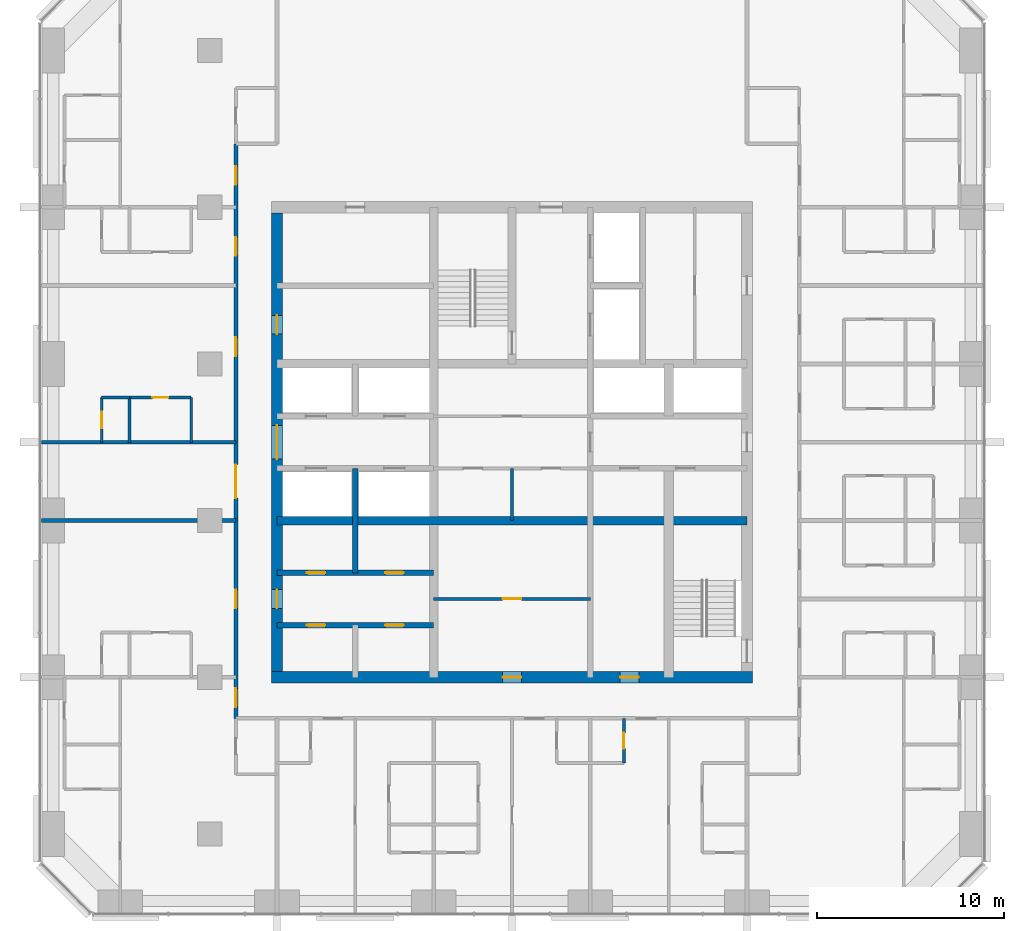
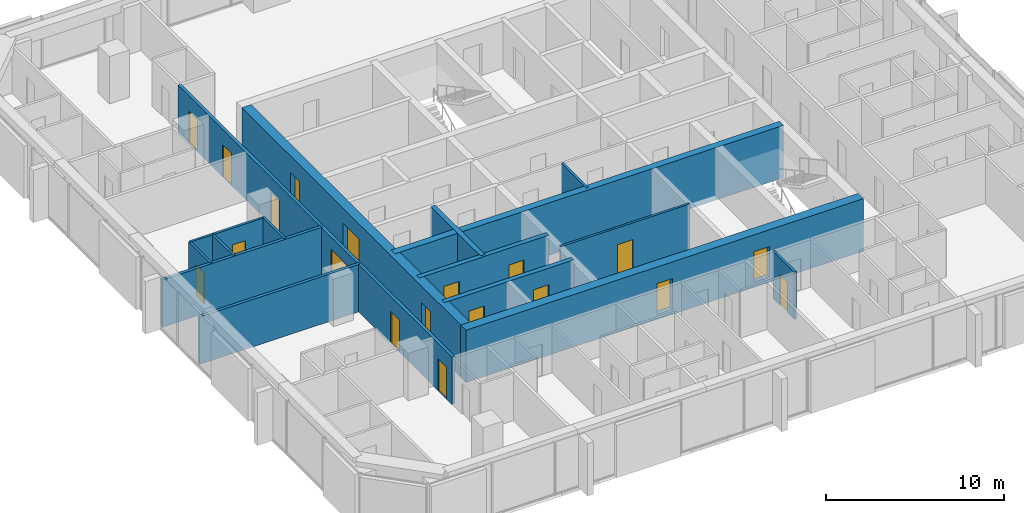
# One storey, part 9 of 14: 19 doors, 17 walls, 19 openings.
"""IFC4 building model written with IfcOpenShell, lengths in metres."""

from ifc_helpers import new_model, si_unit, direction, frame, frame_2d, origin, place, context, subcontext, project, spatial, rectangle, extrude, material, layer, layer_set, type_object, element, fill, save


model = new_model("IFC4")

# Units and contexts
model_context = context("Model", 3, precision=1e-05, world=origin(), true_north=direction((0.0, 1.0)))
body_context = subcontext(model_context, "Body", "Model", "MODEL_VIEW")
ifc_project = project(units=[si_unit("LENGTHUNIT", "METRE"), si_unit("AREAUNIT", "SQUARE_METRE"), si_unit("VOLUMEUNIT", "CUBIC_METRE"), si_unit("PLANEANGLEUNIT", "RADIAN"), si_unit("MASSUNIT", "GRAM", prefix="KILO")], contexts=[model_context])

# Site, building, storey
site_placement = place(None, origin())
site = spatial("IfcSite", under=ifc_project, at=site_placement, CompositionType="ELEMENT")
building_placement = place(site_placement, origin())
building = spatial("IfcBuilding", under=site, at=building_placement, Name="Dunama Terrace Hotel", CompositionType="ELEMENT")
storey_placement = place(building_placement, frame((0.0, 0.0, 180.60009765625)))
storey = spatial("IfcBuildingStorey", under=building, at=storey_placement, Name="L46", CompositionType="ELEMENT", Elevation=180.60009765625)

# Wall
ifc_material_1 = material(Name="Gypsum board partition", Category="masonry")
ifc_layer_1 = layer(ifc_material_1, 0.14990234375)
ifc_layer_set_1 = layer_set([ifc_layer_1], Name="Bathroom partition 150")
wall_type_1 = type_object("IfcWallType", Name="Bathroom partition 150", PredefinedType="PARTITIONING", material=ifc_layer_set_1)
wall_1_placement = place(storey_placement, frame((12.199951171875, 29.39990234375, 0.0), z_axis=(0.0, 0.0, 1.0), x_axis=(0.0, 1.0, 0.0)))
element("IfcWall", 1, at=wall_1_placement, inside=storey, type_object=wall_type_1, Name="Bathroom partition 150 L46", PredefinedType="PARTITIONING", context=body_context, shape_type="SweptSolid", body=[
    extrude(rectangle(XDim=2.400146484375, YDim=0.14990234375, at=frame_2d((1.2001953125, 0.0))), origin(), (0.0, 0.0, 1.0), 3.25),
])

# Wall, opening, door
wall_2_placement = place(storey_placement, frame((35.39990234375, 12.199951171875, 0.0), z_axis=(0.0, 0.0, 1.0), x_axis=(0.0, 1.0, 0.0)))
wall_2 = element("IfcWall", 2, at=wall_2_placement, inside=storey, type_object=wall_type_1, Name="Bathroom partition 150 L46", PredefinedType="PARTITIONING", context=body_context, shape_type="SweptSolid", body=[
    extrude(rectangle(XDim=2.400146484375, YDim=0.14990234375, at=frame_2d((1.2001953125, 0.0))), origin(), (0.0, 0.0, 1.0), 3.25),
])
opening_1_placement = place(wall_2_placement, frame((0.77490234375, 0.0, 0.0)))
opening_1 = element("IfcOpeningElement", 3, at=opening_1_placement, cuts=wall_2, Name="Opening L46-47-020", PredefinedType="OPENING", context=body_context, shape_type="SweptSolid", body=[
    extrude(rectangle(XDim=0.85009765625, YDim=2.10009765625, at=frame_2d((0.425048828125, 1.050048828125))), frame((0.0, 0.0849609375, 0.0), z_axis=(0.0, -1.0, 0.0), x_axis=(1.0, 0.0, 0.0)), (0.0, 0.0, 1.0), 0.169921875),
])
ifc_material_2 = material(Name="Timber door with steel frame", Category="steel")
door_type_1 = type_object("IfcDoorType", Name="Bathroom door 850", OperationType="SINGLE_SWING_LEFT", PredefinedType="DOOR", material=ifc_material_2)
door_1_placement = place(opening_1_placement, origin())
door_1 = element("IfcDoor", 4, at=door_1_placement, inside=storey, type_object=door_type_1, Name="Door to powder room L46-47-020, type D2", OperationType="SINGLE_SWING_RIGHT", OverallHeight=2.10009765625, OverallWidth=0.85009765625, PredefinedType="DOOR", context=body_context, shape_type="SweptSolid", body=[
    extrude(rectangle(XDim=0.85009765625, YDim=2.10009765625, at=frame_2d((0.425048828125, 1.050048828125))), frame((0.0, 0.02490234375, 0.0), z_axis=(0.0, -1.0, 0.0), x_axis=(1.0, 0.0, 0.0)), (0.0, 0.0, 1.0), 0.050048828125),
])
fill(opening_1, door_1)

wall_3_placement = place(storey_placement, frame((8.89990234375, 31.800048828125, 0.0), z_axis=(0.0, 0.0, 1.0), x_axis=(1.0, 0.0, 0.0)))
wall_3 = element("IfcWall", 5, at=wall_3_placement, inside=storey, type_object=wall_type_1, Name="Bathroom partition 150 L46", PredefinedType="PARTITIONING", context=body_context, shape_type="SweptSolid", body=[
    extrude(rectangle(XDim=3.300048828125, YDim=0.14990234375, at=frame_2d((1.64990234375, 0.0))), origin(), (0.0, 0.0, 1.0), 3.25),
])
opening_2_placement = place(wall_3_placement, frame((1.22509765625, 0.0, 0.0)))
opening_2 = element("IfcOpeningElement", 6, at=opening_2_placement, cuts=wall_3, Name="Opening L46-47-047", PredefinedType="OPENING", context=body_context, shape_type="SweptSolid", body=[
    extrude(rectangle(XDim=0.85009765625, YDim=2.10009765625, at=frame_2d((0.425048828125, 1.050048828125))), frame((0.0, 0.0849609375, 0.0), z_axis=(0.0, -1.0, 0.0), x_axis=(1.0, 0.0, 0.0)), (0.0, 0.0, 1.0), 0.169921875),
])
door_2_placement = place(opening_2_placement, frame((0.85009765625, 0.0, 0.0), z_axis=(0.0, 0.0, 1.0), x_axis=(-1.0, 0.0, 0.0)))
door_2 = element("IfcDoor", 7, at=door_2_placement, inside=storey, type_object=door_type_1, Name="Door to en-suite bathroom L46-47-047, type D2", OperationType="SINGLE_SWING_RIGHT", OverallHeight=2.10009765625, OverallWidth=0.85009765625, PredefinedType="DOOR", context=body_context, shape_type="SweptSolid", body=[
    extrude(rectangle(XDim=0.85009765625, YDim=2.10009765625, at=frame_2d((0.425048828125, 1.050048828125))), frame((0.0, 0.025146484375, 0.0), z_axis=(0.0, -1.0, 0.0), x_axis=(1.0, 0.0, 0.0)), (0.0, 0.0, 1.0), 0.050048828125),
])
fill(opening_2, door_2)

# Wall
ifc_material_3 = material(Name="Concrete C50/60", Category="concrete")
ifc_layer_2 = layer(ifc_material_3, 0.300048828125)
ifc_layer_set_2 = layer_set([ifc_layer_2], Name="Core inner wall 300")
wall_type_2 = type_object("IfcWallType", Name="Core inner wall 300", PredefinedType="SHEAR", material=ifc_layer_set_2)
wall_4_placement = place(storey_placement, frame((21.0, 22.39990234375, -0.35009765625), z_axis=(0.0, 0.0, 1.0), x_axis=(0.0, 1.0, 0.0)))
element("IfcWall", 8, at=wall_4_placement, inside=storey, type_object=wall_type_2, Name="Core inner wall 300 L46", PredefinedType="SHEAR", context=body_context, shape_type="SweptSolid", body=[
    extrude(rectangle(XDim=5.60009765625, YDim=0.300048828125, at=frame_2d((2.800048828125, 0.0))), origin(), (0.0, 0.0, 1.0), 3.60009765625),
])

# Wall, openings, doors
wall_5_placement = place(storey_placement, frame((16.800048828125, 19.60009765625, -0.35009765625), z_axis=(0.0, 0.0, 1.0), x_axis=(1.0, 0.0, 0.0)))
wall_5 = element("IfcWall", 9, at=wall_5_placement, inside=storey, type_object=wall_type_2, Name="Core inner wall 300 L46", PredefinedType="SHEAR", context=body_context, shape_type="SweptSolid", body=[
    extrude(rectangle(XDim=8.39990234375, YDim=0.300048828125, at=frame_2d((4.199951171875, 0.0))), origin(), (0.0, 0.0, 1.0), 3.60009765625),
])
opening_3_placement = place(wall_5_placement, frame((1.60009765625, 0.0, 0.35009765625)))
opening_3 = element("IfcOpeningElement", 10, at=opening_3_placement, cuts=wall_5, Name="Opening L46-47-073", PredefinedType="OPENING", context=body_context, shape_type="SweptSolid", body=[
    extrude(rectangle(XDim=1.0, YDim=2.10009765625, at=frame_2d((0.5, 1.050048828125))), frame((0.0, 0.159912109375, 0.0), z_axis=(0.0, -1.0, 0.0), x_axis=(1.0, 0.0, 0.0)), (0.0, 0.0, 1.0), 0.320068359375),
])
opening_4_placement = place(wall_5_placement, frame((5.800048828125, 0.0, 0.35009765625)))
opening_4 = element("IfcOpeningElement", 11, at=opening_4_placement, cuts=wall_5, Name="Opening L46-47-074", PredefinedType="OPENING", context=body_context, shape_type="SweptSolid", body=[
    extrude(rectangle(XDim=1.0, YDim=2.10009765625, at=frame_2d((0.5, 1.050048828125))), frame((0.0, 0.159912109375, 0.0), z_axis=(0.0, -1.0, 0.0), x_axis=(1.0, 0.0, 0.0)), (0.0, 0.0, 1.0), 0.320068359375),
])
ifc_material_4 = material(Name="Timber door with steel frame", Category="steel")
door_type_2 = type_object("IfcDoorType", Name="Service door 1000", OperationType="SINGLE_SWING_LEFT", PredefinedType="DOOR", material=ifc_material_4)
door_3_placement = place(opening_3_placement, frame((1.0, 0.0, 0.0), z_axis=(0.0, 0.0, 1.0), x_axis=(-1.0, 0.0, 0.0)))
door_3 = element("IfcDoor", 12, at=door_3_placement, inside=storey, type_object=door_type_2, Name="Door to service riser L46-47-073, type D7", OperationType="SINGLE_SWING_RIGHT", OverallHeight=2.10009765625, OverallWidth=1.0, PredefinedType="DOOR", context=body_context, shape_type="SweptSolid", body=[
    extrude(rectangle(XDim=1.0, YDim=2.10009765625, at=frame_2d((0.5, 1.050048828125))), frame((0.0, 0.025146484375, 0.0), z_axis=(0.0, -1.0, 0.0), x_axis=(1.0, 0.0, 0.0)), (0.0, 0.0, 1.0), 0.050048828125),
])
fill(opening_3, door_3)
door_4_placement = place(opening_4_placement, frame((1.0, 0.0, 0.0), z_axis=(0.0, 0.0, 1.0), x_axis=(-1.0, 0.0, 0.0)))
door_4 = element("IfcDoor", 13, at=door_4_placement, inside=storey, type_object=door_type_2, Name="Door to staff accessible wc L46-47-074, type D7", OperationType="SINGLE_SWING_LEFT", OverallHeight=2.10009765625, OverallWidth=1.0, PredefinedType="DOOR", context=body_context, shape_type="SweptSolid", body=[
    extrude(rectangle(XDim=1.0, YDim=2.10009765625, at=frame_2d((0.5, 1.050048828125))), frame((0.0, 0.025146484375, 0.0), z_axis=(0.0, -1.0, 0.0), x_axis=(1.0, 0.0, 0.0)), (0.0, 0.0, 1.0), 0.050048828125),
])
fill(opening_4, door_4)

wall_6_placement = place(storey_placement, frame((16.800048828125, 22.39990234375, -0.35009765625), z_axis=(0.0, 0.0, 1.0), x_axis=(1.0, 0.0, 0.0)))
wall_6 = element("IfcWall", 14, at=wall_6_placement, inside=storey, type_object=wall_type_2, Name="Core inner wall 300 L46", PredefinedType="SHEAR", context=body_context, shape_type="SweptSolid", body=[
    extrude(rectangle(XDim=8.39990234375, YDim=0.300048828125, at=frame_2d((4.199951171875, 0.0))), origin(), (0.0, 0.0, 1.0), 3.60009765625),
])
opening_5_placement = place(wall_6_placement, frame((1.60009765625, 0.0, 0.35009765625)))
opening_5 = element("IfcOpeningElement", 15, at=opening_5_placement, cuts=wall_6, Name="Opening L46-47-075", PredefinedType="OPENING", context=body_context, shape_type="SweptSolid", body=[
    extrude(rectangle(XDim=1.0, YDim=2.10009765625, at=frame_2d((0.5, 1.050048828125))), frame((0.0, 0.159912109375, 0.0), z_axis=(0.0, -1.0, 0.0), x_axis=(1.0, 0.0, 0.0)), (0.0, 0.0, 1.0), 0.320068359375),
])
opening_6_placement = place(wall_6_placement, frame((5.800048828125, 0.0, 0.35009765625)))
opening_6 = element("IfcOpeningElement", 16, at=opening_6_placement, cuts=wall_6, Name="Opening L46-47-076", PredefinedType="OPENING", context=body_context, shape_type="SweptSolid", body=[
    extrude(rectangle(XDim=1.0, YDim=2.10009765625, at=frame_2d((0.5, 1.050048828125))), frame((0.0, 0.159912109375, 0.0), z_axis=(0.0, -1.0, 0.0), x_axis=(1.0, 0.0, 0.0)), (0.0, 0.0, 1.0), 0.320068359375),
])
door_5_placement = place(opening_5_placement, origin())
door_5 = element("IfcDoor", 17, at=door_5_placement, inside=storey, type_object=door_type_2, Name="Door to room service pantry L46-47-075, type D7", OperationType="SINGLE_SWING_LEFT", OverallHeight=2.10009765625, OverallWidth=1.0, PredefinedType="DOOR", context=body_context, shape_type="SweptSolid", body=[
    extrude(rectangle(XDim=1.0, YDim=2.10009765625, at=frame_2d((0.5, 1.050048828125))), frame((0.0, 0.02490234375, 0.0), z_axis=(0.0, -1.0, 0.0), x_axis=(1.0, 0.0, 0.0)), (0.0, 0.0, 1.0), 0.050048828125),
])
fill(opening_5, door_5)
door_6_placement = place(opening_6_placement, origin())
door_6 = element("IfcDoor", 18, at=door_6_placement, inside=storey, type_object=door_type_2, Name="Door to linen store L46-47-076, type D7", OperationType="SINGLE_SWING_RIGHT", OverallHeight=2.10009765625, OverallWidth=1.0, PredefinedType="DOOR", context=body_context, shape_type="SweptSolid", body=[
    extrude(rectangle(XDim=1.0, YDim=2.10009765625, at=frame_2d((0.5, 1.050048828125))), frame((0.0, 0.02490234375, 0.0), z_axis=(0.0, -1.0, 0.0), x_axis=(1.0, 0.0, 0.0)), (0.0, 0.0, 1.0), 0.050048828125),
])
fill(opening_6, door_6)

# Wall
ifc_material_5 = material(Name="Concrete C50/60", Category="concrete")
ifc_layer_3 = layer(ifc_material_5, 0.449951171875)
ifc_layer_set_3 = layer_set([ifc_layer_3], Name="Core inner wall 450")
wall_type_3 = type_object("IfcWallType", Name="Core inner wall 450", PredefinedType="SHEAR", material=ifc_layer_set_3)
wall_7_placement = place(storey_placement, frame((16.800048828125, 25.199951171875, -0.35009765625), z_axis=(0.0, 0.0, 1.0), x_axis=(1.0, 0.0, 0.0)))
element("IfcWall", 19, at=wall_7_placement, inside=storey, type_object=wall_type_3, Name="Core inner wall 450 L46", PredefinedType="SHEAR", context=body_context, shape_type="SweptSolid", body=[
    extrude(rectangle(XDim=25.199951171875, YDim=0.449951171875, at=frame_2d((12.60009765625, 0.0))), origin(), (0.0, 0.0, 1.0), 3.60009765625),
])

# Wall, openings, doors
ifc_material_6 = material(Name="Concrete C50/60", Category="concrete")
ifc_layer_4 = layer(ifc_material_6, 0.60009765625)
ifc_layer_set_4 = layer_set([ifc_layer_4], Name="Core wall 600")
wall_type_4 = type_object("IfcWallType", Name="Core wall 600", PredefinedType="SHEAR", material=ifc_layer_set_4)
wall_8_placement = place(storey_placement, frame((16.5, 16.800048828125, -0.35009765625), z_axis=(0.0, 0.0, 1.0), x_axis=(1.0, 0.0, 0.0)))
wall_8 = element("IfcWall", 20, at=wall_8_placement, inside=storey, type_object=wall_type_4, Name="Core wall south L46", PredefinedType="SHEAR", context=body_context, shape_type="SweptSolid", body=[
    extrude(rectangle(XDim=25.800048828125, YDim=0.60009765625, at=frame_2d((12.89990234375, 0.0))), origin(), (0.0, 0.0, 1.0), 3.60009765625),
])
opening_7_placement = place(wall_8_placement, frame((12.39990234375, 0.0, 0.35009765625)))
opening_7 = element("IfcOpeningElement", 21, at=opening_7_placement, cuts=wall_8, Name="Opening L46-47-090", PredefinedType="OPENING", context=body_context, shape_type="SweptSolid", body=[
    extrude(rectangle(XDim=1.0, YDim=2.10009765625, at=frame_2d((0.5, 1.050048828125))), frame((0.0, 0.31005859375, 0.0), z_axis=(0.0, -1.0, 0.0), x_axis=(1.0, 0.0, 0.0)), (0.0, 0.0, 1.0), 0.6201171875),
])
opening_8_placement = place(wall_8_placement, frame((18.699951171875, 0.0, 0.35009765625)))
opening_8 = element("IfcOpeningElement", 22, at=opening_8_placement, cuts=wall_8, Name="Opening L46-47-092", PredefinedType="OPENING", context=body_context, shape_type="SweptSolid", body=[
    extrude(rectangle(XDim=1.0, YDim=2.10009765625, at=frame_2d((0.5, 1.050048828125))), frame((0.0, 0.31005859375, 0.0), z_axis=(0.0, -1.0, 0.0), x_axis=(1.0, 0.0, 0.0)), (0.0, 0.0, 1.0), 0.6201171875),
])
door_7_placement = place(opening_7_placement, origin())
door_7 = element("IfcDoor", 23, at=door_7_placement, inside=storey, type_object=door_type_2, Name="Door to corridor air handling room L46-47-090, type D7", OperationType="SINGLE_SWING_LEFT", OverallHeight=2.10009765625, OverallWidth=1.0, PredefinedType="DOOR", context=body_context, shape_type="SweptSolid", body=[
    extrude(rectangle(XDim=1.0, YDim=2.10009765625, at=frame_2d((0.5, 1.050048828125))), frame((0.0, 0.02490234375, 0.0), z_axis=(0.0, -1.0, 0.0), x_axis=(1.0, 0.0, 0.0)), (0.0, 0.0, 1.0), 0.050048828125),
])
fill(opening_7, door_7)
door_8_placement = place(opening_8_placement, origin())
door_8 = element("IfcDoor", 24, at=door_8_placement, inside=storey, type_object=door_type_2, Name="Door to water riser room L46-47-092, type D7", OperationType="SINGLE_SWING_RIGHT", OverallHeight=2.10009765625, OverallWidth=1.0, PredefinedType="DOOR", context=body_context, shape_type="SweptSolid", body=[
    extrude(rectangle(XDim=1.0, YDim=2.10009765625, at=frame_2d((0.5, 1.050048828125))), frame((0.0, 0.02490234375, 0.0), z_axis=(0.0, -1.0, 0.0), x_axis=(1.0, 0.0, 0.0)), (0.0, 0.0, 1.0), 0.050048828125),
])
fill(opening_8, door_8)

wall_9_placement = place(storey_placement, frame((16.800048828125, 41.699951171875, -0.35009765625), z_axis=(0.0, 0.0, 1.0), x_axis=(0.0, -1.0, 0.0)))
wall_9 = element("IfcWall", 25, at=wall_9_placement, inside=storey, type_object=wall_type_4, Name="Core wall west L46", PredefinedType="SHEAR", context=body_context, shape_type="SweptSolid", body=[
    extrude(rectangle(XDim=24.599853515625, YDim=0.60009765625, at=frame_2d((12.2998046875, 0.0))), origin(), (0.0, 0.0, 1.0), 3.60009765625),
])
opening_9_placement = place(wall_9_placement, frame((11.39990234375, 0.0, 0.35009765625)))
opening_9 = element("IfcOpeningElement", 26, at=opening_9_placement, cuts=wall_9, Name="Opening L46-47-072", PredefinedType="OPENING", context=body_context, shape_type="SweptSolid", body=[
    extrude(rectangle(XDim=1.800048828125, YDim=2.199951171875, at=frame_2d((0.89990234375, 1.10009765625))), frame((0.0, 0.31005859375, 0.0), z_axis=(0.0, -1.0, 0.0), x_axis=(1.0, 0.0, 0.0)), (0.0, 0.0, 1.0), 0.6201171875),
])
opening_10_placement = place(wall_9_placement, frame((20.199951171875, 0.0, 0.35009765625)))
opening_10 = element("IfcOpeningElement", 27, at=opening_10_placement, cuts=wall_9, Name="Opening L46-47-077", PredefinedType="OPENING", context=body_context, shape_type="SweptSolid", body=[
    extrude(rectangle(XDim=1.0, YDim=2.10009765625, at=frame_2d((0.5, 1.050048828125))), frame((0.0, 0.31005859375, 0.0), z_axis=(0.0, -1.0, 0.0), x_axis=(1.0, 0.0, 0.0)), (0.0, 0.0, 1.0), 0.6201171875),
])
opening_11_placement = place(wall_9_placement, frame((5.5, 0.0, 0.35009765625)))
opening_11 = element("IfcOpeningElement", 28, at=opening_11_placement, cuts=wall_9, Name="Opening L46-47-078", PredefinedType="OPENING", context=body_context, shape_type="SweptSolid", body=[
    extrude(rectangle(XDim=1.0, YDim=2.10009765625, at=frame_2d((0.5, 1.050048828125))), frame((0.0, 0.31005859375, 0.0), z_axis=(0.0, -1.0, 0.0), x_axis=(1.0, 0.0, 0.0)), (0.0, 0.0, 1.0), 0.6201171875),
])
ifc_material_7 = material(Name="Timber door with steel frame", Category="steel")
door_type_3 = type_object("IfcDoorType", Name="Lift lobby double door 1800", OperationType="DOUBLE_DOOR_DOUBLE_SWING", PredefinedType="DOOR", material=ifc_material_7)
door_9_placement = place(opening_9_placement, origin())
door_9 = element("IfcDoor", 29, at=door_9_placement, inside=storey, type_object=door_type_3, Name="Door to lift lobby L46-47-072, type D3", OperationType="DOUBLE_DOOR_DOUBLE_SWING", OverallHeight=2.199951171875, OverallWidth=1.800048828125, PredefinedType="DOOR", context=body_context, shape_type="SweptSolid", body=[
    extrude(rectangle(XDim=1.800048828125, YDim=2.199951171875, at=frame_2d((0.89990234375, 1.10009765625))), frame((0.0, 0.02490234375, 0.0), z_axis=(0.0, -1.0, 0.0), x_axis=(1.0, 0.0, 0.0)), (0.0, 0.0, 1.0), 0.050048828125),
])
fill(opening_9, door_9)
door_10_placement = place(opening_10_placement, origin())
door_10 = element("IfcDoor", 30, at=door_10_placement, inside=storey, type_object=door_type_2, Name="Door to back-of-house lobby L46-47-077, type D7", OperationType="SINGLE_SWING_LEFT", OverallHeight=2.10009765625, OverallWidth=1.0, PredefinedType="DOOR", context=body_context, shape_type="SweptSolid", body=[
    extrude(rectangle(XDim=1.0, YDim=2.10009765625, at=frame_2d((0.5, 1.050048828125))), frame((0.0, 0.02490234375, 0.0), z_axis=(0.0, -1.0, 0.0), x_axis=(1.0, 0.0, 0.0)), (0.0, 0.0, 1.0), 0.050048828125),
])
fill(opening_10, door_10)
door_11_placement = place(opening_11_placement, origin())
door_11 = element("IfcDoor", 31, at=door_11_placement, inside=storey, type_object=door_type_2, Name="Door to electrical room L46-47-078, type D7", OperationType="SINGLE_SWING_RIGHT", OverallHeight=2.10009765625, OverallWidth=1.0, PredefinedType="DOOR", context=body_context, shape_type="SweptSolid", body=[
    extrude(rectangle(XDim=1.0, YDim=2.10009765625, at=frame_2d((0.5, 1.050048828125))), frame((0.0, 0.02490234375, 0.0), z_axis=(0.0, -1.0, 0.0), x_axis=(1.0, 0.0, 0.0)), (0.0, 0.0, 1.0), 0.050048828125),
])
fill(opening_11, door_11)

ifc_material_8 = material(Name="Concrete blockwork", Category="masonry")
ifc_layer_5 = layer(ifc_material_8, 0.199951171875)
ifc_layer_set_5 = layer_set([ifc_layer_5], Name="Corridor partition 200")
wall_type_5 = type_object("IfcWallType", Name="Corridor partition 200", PredefinedType="PARTITIONING", material=ifc_layer_set_5)
wall_10_placement = place(storey_placement, frame((14.60009765625, 14.60009765625, 0.0), z_axis=(0.0, 0.0, 1.0), x_axis=(0.0, 1.0, 0.0)))
wall_10 = element("IfcWall", 32, at=wall_10_placement, inside=storey, type_object=wall_type_5, Name="Corridor partition 200 L46", PredefinedType="PARTITIONING", context=body_context, shape_type="SweptSolid", body=[
    extrude(rectangle(XDim=30.7998046875, YDim=0.199951171875, at=frame_2d((15.39990234375, 0.0))), origin(), (0.0, 0.0, 1.0), 3.25),
])
opening_12_placement = place(wall_10_placement, frame((5.89990234375, 0.0, 0.0)))
opening_12 = element("IfcOpeningElement", 33, at=opening_12_placement, cuts=wall_10, Name="Opening L46-47-042", PredefinedType="OPENING", context=body_context, shape_type="SweptSolid", body=[
    extrude(rectangle(XDim=1.0, YDim=2.199951171875, at=frame_2d((0.5, 1.10009765625))), frame((0.0, 0.10986328125, 0.0), z_axis=(0.0, -1.0, 0.0), x_axis=(1.0, 0.0, 0.0)), (0.0, 0.0, 1.0), 0.219970703125),
])
opening_13_placement = place(wall_10_placement, frame((11.800048828125, 0.0, 0.0)))
opening_13 = element("IfcOpeningElement", 34, at=opening_13_placement, cuts=wall_10, Name="Opening L46-47-045", PredefinedType="OPENING", context=body_context, shape_type="SweptSolid", body=[
    extrude(rectangle(XDim=1.800048828125, YDim=2.39990234375, at=frame_2d((0.89990234375, 1.199951171875))), frame((0.0, 0.10986328125, 0.0), z_axis=(0.0, -1.0, 0.0), x_axis=(1.0, 0.0, 0.0)), (0.0, 0.0, 1.0), 0.219970703125),
])
opening_14_placement = place(wall_10_placement, frame((19.425048828125, 0.0, 0.0)))
opening_14 = element("IfcOpeningElement", 35, at=opening_14_placement, cuts=wall_10, Name="Opening L46-47-046", PredefinedType="OPENING", context=body_context, shape_type="SweptSolid", body=[
    extrude(rectangle(XDim=1.0, YDim=2.199951171875, at=frame_2d((0.5, 1.10009765625))), frame((0.0, 0.10986328125, 0.0), z_axis=(0.0, -1.0, 0.0), x_axis=(1.0, 0.0, 0.0)), (0.0, 0.0, 1.0), 0.219970703125),
])
opening_15_placement = place(wall_10_placement, frame((24.800048828125, 0.0, 0.0)))
opening_15 = element("IfcOpeningElement", 36, at=opening_15_placement, cuts=wall_10, Name="Opening L46-47-049", PredefinedType="OPENING", context=body_context, shape_type="SweptSolid", body=[
    extrude(rectangle(XDim=1.0, YDim=2.199951171875, at=frame_2d((0.5, 1.10009765625))), frame((0.0, 0.10986328125, 0.0), z_axis=(0.0, -1.0, 0.0), x_axis=(1.0, 0.0, 0.0)), (0.0, 0.0, 1.0), 0.219970703125),
])
opening_16_placement = place(wall_10_placement, frame((0.60009765625, 0.0, 0.0)))
opening_16 = element("IfcOpeningElement", 37, at=opening_16_placement, cuts=wall_10, Name="Opening L46-47-052", PredefinedType="OPENING", context=body_context, shape_type="SweptSolid", body=[
    extrude(rectangle(XDim=1.0, YDim=2.199951171875, at=frame_2d((0.5, 1.10009765625))), frame((0.0, 0.10986328125, 0.0), z_axis=(0.0, -1.0, 0.0), x_axis=(1.0, 0.0, 0.0)), (0.0, 0.0, 1.0), 0.219970703125),
])
opening_17_placement = place(wall_10_placement, frame((28.60009765625, 0.0, 0.0)))
opening_17 = element("IfcOpeningElement", 38, at=opening_17_placement, cuts=wall_10, Name="Opening L46-47-067", PredefinedType="OPENING", context=body_context, shape_type="SweptSolid", body=[
    extrude(rectangle(XDim=1.0, YDim=2.199951171875, at=frame_2d((0.5, 1.10009765625))), frame((0.0, 0.10986328125, 0.0), z_axis=(0.0, -1.0, 0.0), x_axis=(1.0, 0.0, 0.0)), (0.0, 0.0, 1.0), 0.219970703125),
])
ifc_material_9 = material(Name="Aluminium-framed glazed door", Category="aluminium")
door_type_4 = type_object("IfcDoorType", Name="Glazed double door 1800", OperationType="DOUBLE_DOOR_DOUBLE_SWING", PredefinedType="DOOR", material=ifc_material_9)
door_12_placement = place(opening_13_placement, origin())
door_12 = element("IfcDoor", 39, at=door_12_placement, inside=storey, type_object=door_type_4, Name="Door to business centre L46-47-045, type D8", OperationType="DOUBLE_DOOR_DOUBLE_SWING", OverallHeight=2.39990234375, OverallWidth=1.800048828125, PredefinedType="DOOR", context=body_context, shape_type="SweptSolid", body=[
    extrude(rectangle(XDim=1.800048828125, YDim=2.39990234375, at=frame_2d((0.89990234375, 1.199951171875))), frame((0.0, 0.02490234375, 0.0), z_axis=(0.0, -1.0, 0.0), x_axis=(1.0, 0.0, 0.0)), (0.0, 0.0, 1.0), 0.050048828125),
])
fill(opening_13, door_12)
ifc_material_10 = material(Name="Timber door with steel frame", Category="steel")
door_type_5 = type_object("IfcDoorType", Name="Guest room door 1000", OperationType="SINGLE_SWING_LEFT", PredefinedType="DOOR", material=ifc_material_10)
door_13_placement = place(opening_12_placement, origin())
door_13 = element("IfcDoor", 40, at=door_13_placement, inside=storey, type_object=door_type_5, Name="Door to junior suite L46-47-042, type D1", OperationType="SINGLE_SWING_LEFT", OverallHeight=2.199951171875, OverallWidth=1.0, PredefinedType="DOOR", context=body_context, shape_type="SweptSolid", body=[
    extrude(rectangle(XDim=1.0, YDim=2.199951171875, at=frame_2d((0.5, 1.10009765625))), frame((0.0, 0.02490234375, 0.0), z_axis=(0.0, -1.0, 0.0), x_axis=(1.0, 0.0, 0.0)), (0.0, 0.0, 1.0), 0.050048828125),
])
fill(opening_12, door_13)
door_14_placement = place(opening_14_placement, origin())
door_14 = element("IfcDoor", 41, at=door_14_placement, inside=storey, type_object=door_type_5, Name="Door to junior suite L46-47-046, type D1", OperationType="SINGLE_SWING_RIGHT", OverallHeight=2.199951171875, OverallWidth=1.0, PredefinedType="DOOR", context=body_context, shape_type="SweptSolid", body=[
    extrude(rectangle(XDim=1.0, YDim=2.199951171875, at=frame_2d((0.5, 1.10009765625))), frame((0.0, 0.02490234375, 0.0), z_axis=(0.0, -1.0, 0.0), x_axis=(1.0, 0.0, 0.0)), (0.0, 0.0, 1.0), 0.050048828125),
])
fill(opening_14, door_14)
door_15_placement = place(opening_15_placement, origin())
door_15 = element("IfcDoor", 42, at=door_15_placement, inside=storey, type_object=door_type_5, Name="Door to club room L46-47-049, type D1", OperationType="SINGLE_SWING_RIGHT", OverallHeight=2.199951171875, OverallWidth=1.0, PredefinedType="DOOR", context=body_context, shape_type="SweptSolid", body=[
    extrude(rectangle(XDim=1.0, YDim=2.199951171875, at=frame_2d((0.5, 1.10009765625))), frame((0.0, 0.02490234375, 0.0), z_axis=(0.0, -1.0, 0.0), x_axis=(1.0, 0.0, 0.0)), (0.0, 0.0, 1.0), 0.050048828125),
])
fill(opening_15, door_15)
door_16_placement = place(opening_16_placement, origin())
door_16 = element("IfcDoor", 43, at=door_16_placement, inside=storey, type_object=door_type_5, Name="Door to corner suite living room L46-47-052, type D1", OperationType="SINGLE_SWING_LEFT", OverallHeight=2.199951171875, OverallWidth=1.0, PredefinedType="DOOR", context=body_context, shape_type="SweptSolid", body=[
    extrude(rectangle(XDim=1.0, YDim=2.199951171875, at=frame_2d((0.5, 1.10009765625))), frame((0.0, 0.02490234375, 0.0), z_axis=(0.0, -1.0, 0.0), x_axis=(1.0, 0.0, 0.0)), (0.0, 0.0, 1.0), 0.050048828125),
])
fill(opening_16, door_16)
door_17_placement = place(opening_17_placement, origin())
door_17 = element("IfcDoor", 44, at=door_17_placement, inside=storey, type_object=door_type_5, Name="Door to corner suite living room L46-47-067, type D1", OperationType="SINGLE_SWING_LEFT", OverallHeight=2.199951171875, OverallWidth=1.0, PredefinedType="DOOR", context=body_context, shape_type="SweptSolid", body=[
    extrude(rectangle(XDim=1.0, YDim=2.199951171875, at=frame_2d((0.5, 1.10009765625))), frame((0.0, 0.02490234375, 0.0), z_axis=(0.0, -1.0, 0.0), x_axis=(1.0, 0.0, 0.0)), (0.0, 0.0, 1.0), 0.050048828125),
])
fill(opening_17, door_17)

# Walls
ifc_material_11 = material(Name="Concrete blockwork", Category="masonry")
ifc_layer_6 = layer(ifc_material_11, 0.199951171875)
ifc_layer_set_6 = layer_set([ifc_layer_6], Name="Party wall 200")
wall_type_6 = type_object("IfcWallType", Name="Party wall 200", PredefinedType="PARTITIONING", material=ifc_layer_set_6)
for number, where, z_axis, x_axis, name in (
    (45, (4.181884765625, 25.199951171875, 0.0), (0.0, 0.0, 1.0), (1.0, 0.0, 0.0), "Party wall 200 L46"),
    (46, (4.181884765625, 29.39990234375, 0.0), (0.0, 0.0, 1.0), (1.0, 0.0, 0.0), "Party wall 200 L46"),
):
    element("IfcWall", number, at=place(storey_placement, frame(where, z_axis=z_axis, x_axis=x_axis)), inside=storey, type_object=wall_type_6, Name=name, PredefinedType="PARTITIONING", context=body_context, shape_type="SweptSolid", body=[
        extrude(rectangle(XDim=10.418212890625, YDim=0.199951171875, at=frame_2d((5.208984375, 0.0))), origin(), (0.0, 0.0, 1.0), 3.25),
    ])

# Wall, opening, door
ifc_material_12 = material(Name="Gypsum board partition", Category="masonry")
ifc_layer_7 = layer(ifc_material_12, 0.14990234375)
ifc_layer_set_7 = layer_set([ifc_layer_7], Name="Room partition 150")
wall_type_7 = type_object("IfcWallType", Name="Room partition 150", PredefinedType="PARTITIONING", material=ifc_layer_set_7)
wall_11_placement = place(storey_placement, frame((7.39990234375, 29.39990234375, 0.0), z_axis=(0.0, 0.0, 1.0), x_axis=(0.0, 1.0, 0.0)))
wall_11 = element("IfcWall", 47, at=wall_11_placement, inside=storey, type_object=wall_type_7, Name="Room partition 150 L46", PredefinedType="PARTITIONING", context=body_context, shape_type="SweptSolid", body=[
    extrude(rectangle(XDim=2.400146484375, YDim=0.14990234375, at=frame_2d((1.2001953125, 0.0))), origin(), (0.0, 0.0, 1.0), 3.25),
])
opening_18_placement = place(wall_11_placement, frame((0.75, 0.0, 0.0)))
opening_18 = element("IfcOpeningElement", 48, at=opening_18_placement, cuts=wall_11, Name="Opening L46-47-048", PredefinedType="OPENING", context=body_context, shape_type="SweptSolid", body=[
    extrude(rectangle(XDim=0.89990234375, YDim=2.10009765625, at=frame_2d((0.449951171875, 1.050048828125))), frame((0.0, 0.0849609375, 0.0), z_axis=(0.0, -1.0, 0.0), x_axis=(1.0, 0.0, 0.0)), (0.0, 0.0, 1.0), 0.169921875),
])
ifc_material_13 = material(Name="Timber door with steel frame", Category="steel")
door_type_6 = type_object("IfcDoorType", Name="Suite internal door 900", OperationType="SINGLE_SWING_LEFT", PredefinedType="DOOR", material=ifc_material_13)
door_18_placement = place(opening_18_placement, frame((0.89990234375, 0.0, 0.0), z_axis=(0.0, 0.0, 1.0), x_axis=(-1.0, 0.0, 0.0)))
door_18 = element("IfcDoor", 49, at=door_18_placement, inside=storey, type_object=door_type_6, Name="Door to walk-in wardrobe L46-47-048, type D16", OperationType="SINGLE_SWING_RIGHT", OverallHeight=2.10009765625, OverallWidth=0.89990234375, PredefinedType="DOOR", context=body_context, shape_type="SweptSolid", body=[
    extrude(rectangle(XDim=0.89990234375, YDim=2.10009765625, at=frame_2d((0.449951171875, 1.050048828125))), frame((0.0, 0.025146484375, 0.0), z_axis=(0.0, -1.0, 0.0), x_axis=(1.0, 0.0, 0.0)), (0.0, 0.0, 1.0), 0.050048828125),
])
fill(opening_18, door_18)

# Walls
wall_12_placement = place(storey_placement, frame((8.89990234375, 29.39990234375, 0.0), z_axis=(0.0, 0.0, 1.0), x_axis=(0.0, 1.0, 0.0)))
element("IfcWall", 50, at=wall_12_placement, inside=storey, type_object=wall_type_7, Name="Room partition 150 L46", PredefinedType="PARTITIONING", context=body_context, shape_type="SweptSolid", body=[
    extrude(rectangle(XDim=2.400146484375, YDim=0.14990234375, at=frame_2d((1.2001953125, 0.0))), origin(), (0.0, 0.0, 1.0), 3.25),
])
wall_13_placement = place(storey_placement, frame((29.39990234375, 25.199951171875, 0.0), z_axis=(0.0, 0.0, 1.0), x_axis=(0.0, 1.0, 0.0)))
element("IfcWall", 51, at=wall_13_placement, inside=storey, type_object=wall_type_7, Name="Room partition 150 L46", PredefinedType="PARTITIONING", context=body_context, shape_type="SweptSolid", body=[
    extrude(rectangle(XDim=2.800048828125, YDim=0.14990234375, at=frame_2d((1.39990234375, 0.0))), origin(), (0.0, 0.0, 1.0), 3.25),
])

# Wall, opening, door
wall_14_placement = place(storey_placement, frame((25.199951171875, 21.0, 0.0), z_axis=(0.0, 0.0, 1.0), x_axis=(1.0, 0.0, 0.0)))
wall_14 = element("IfcWall", 52, at=wall_14_placement, inside=storey, type_object=wall_type_7, Name="Room partition 150 L46", PredefinedType="PARTITIONING", context=body_context, shape_type="SweptSolid", body=[
    extrude(rectangle(XDim=8.400146484375, YDim=0.14990234375, at=frame_2d((4.2001953125, 0.0))), origin(), (0.0, 0.0, 1.0), 3.25),
])
opening_19_placement = place(wall_14_placement, frame((3.699951171875, 0.0, 0.0)))
opening_19 = element("IfcOpeningElement", 53, at=opening_19_placement, cuts=wall_14, Name="Opening L46-47-091", PredefinedType="OPENING", context=body_context, shape_type="SweptSolid", body=[
    extrude(rectangle(XDim=1.0, YDim=2.10009765625, at=frame_2d((0.5, 1.050048828125))), frame((0.0, 0.0849609375, 0.0), z_axis=(0.0, -1.0, 0.0), x_axis=(1.0, 0.0, 0.0)), (0.0, 0.0, 1.0), 0.169921875),
])
door_19_placement = place(opening_19_placement, origin())
door_19 = element("IfcDoor", 54, at=door_19_placement, inside=storey, type_object=door_type_2, Name="Door to stair pressurisation fan room L46-47-091, type D7", OperationType="SINGLE_SWING_LEFT", OverallHeight=2.10009765625, OverallWidth=1.0, PredefinedType="DOOR", context=body_context, shape_type="SweptSolid", body=[
    extrude(rectangle(XDim=1.0, YDim=2.10009765625, at=frame_2d((0.5, 1.050048828125))), frame((0.0, 0.02490234375, 0.0), z_axis=(0.0, -1.0, 0.0), x_axis=(1.0, 0.0, 0.0)), (0.0, 0.0, 1.0), 0.050048828125),
])
fill(opening_19, door_19)

# Wall
wall_15_placement = place(storey_placement, frame((7.39990234375, 31.800048828125, 0.0), z_axis=(0.0, 0.0, 1.0), x_axis=(1.0, 0.0, 0.0)))
element("IfcWall", 55, at=wall_15_placement, inside=storey, type_object=wall_type_7, Name="Room partition 150 L46", PredefinedType="PARTITIONING", context=body_context, shape_type="SweptSolid", body=[
    extrude(rectangle(XDim=1.5, YDim=0.14990234375, at=frame_2d((0.75, 0.0))), origin(), (0.0, 0.0, 1.0), 3.25),
])

save(model, "model.ifc")
